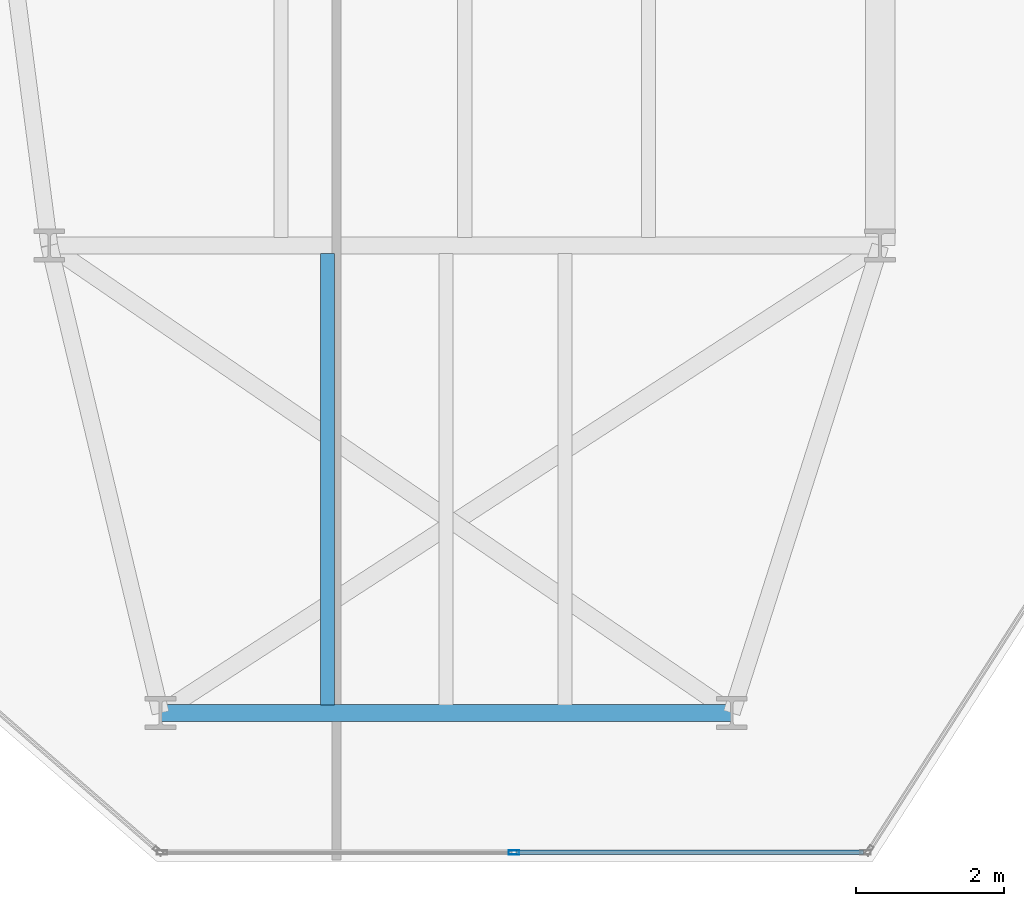
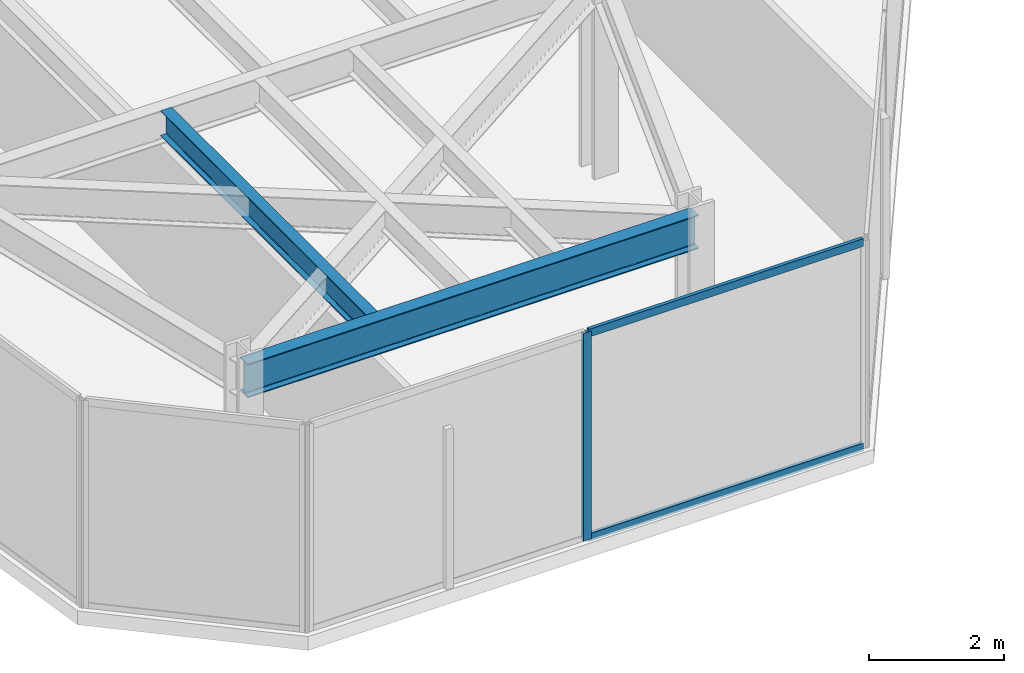
# One storey, part 3 of 26: 3 members, 2 beams, 1 element without a shape of its own.
"""IFC4 building model written with IfcOpenShell, lengths in metres."""

from ifc_helpers import new_model, si_unit, direction, frame, origin, origin_2d, place, context, subcontext, project, spatial, hollow_rectangle, i_section, extrude, material, layer, layer_set, material_profile, profile_set, type_object, element, aggregate, save


model = new_model("IFC4")

# Units and contexts
model_context = context("Model", 3, precision=1e-05, world=origin(), true_north=direction((0.0, 1.0)))
body_context = subcontext(model_context, "Body", "Model", "MODEL_VIEW")
ifc_project = project(units=[si_unit("LENGTHUNIT", "METRE"), si_unit("AREAUNIT", "SQUARE_METRE"), si_unit("VOLUMEUNIT", "CUBIC_METRE"), si_unit("PLANEANGLEUNIT", "RADIAN"), si_unit("MASSUNIT", "GRAM", prefix="KILO")], contexts=[model_context])

# Site, building, storey
site_placement = place(None, origin())
site = spatial("IfcSite", under=ifc_project, at=site_placement, CompositionType="ELEMENT")
building_placement = place(site_placement, origin())
building = spatial("IfcBuilding", under=site, at=building_placement, Name="Kravanh Interchange Tower", CompositionType="ELEMENT")
storey_placement = place(building_placement, frame((0.0, 0.0, 132.0)))
storey = spatial("IfcBuildingStorey", under=building, at=storey_placement, Name="L31", CompositionType="ELEMENT", Elevation=132.0)

# Curtain wall, members
ifc_material_1 = material(Name="Anodised Bronze Aluminium", Category="aluminium")
ifc_layer = layer(ifc_material_1, 0.179931640625)
ifc_layer_set = layer_set([ifc_layer], Name="Unitised Curtain Wall System CW-Z2 Mid Office")
curtain_wall_type = type_object("IfcCurtainWallType", Name="Unitised Curtain Wall System CW-Z2 Mid Office", PredefinedType="NOTDEFINED", material=ifc_layer_set)
curtain_wall_placement = place(storey_placement, origin())
curtain_wall = element("IfcCurtainWall", 1, at=curtain_wall_placement, inside=storey, type_object=curtain_wall_type, Name="L31 Unitised Curtain Wall CW-L31-06", PredefinedType="NOTDEFINED")
ifc_material_2 = material(Name="Anodised Bronze Aluminium", Category="aluminium")
ifc_material_profile_1 = material_profile(ifc_material_2, hollow_rectangle(XDim=0.06005859375, YDim=0.139892578125, WallThickness=0.00390625, at=origin_2d()), Name="ALU60X140X4")
ifc_profile_set_1 = profile_set([ifc_material_profile_1], Name="Anodised Bronze Aluminium")
member_type_1 = type_object("IfcMemberType", Name="Curtain Wall Mullion ALU60X140X4 Bronze", PredefinedType="MULLION", material=ifc_profile_set_1)
member_1_placement = place(storey_placement, frame((22.26220703125, 6.320068359375, 0.0), z_axis=(0.0, 0.0, 1.0), x_axis=(0.0, -1.0, 0.0)))
member_1 = element("IfcMember", 2, at=member_1_placement, type_object=member_type_1, Name="CW-Z2 mullion 2", PredefinedType="MULLION", context=body_context, shape_type="SweptSolid", body=[
    extrude(hollow_rectangle(XDim=0.06005859375, YDim=0.139892578125, WallThickness=0.00390625, at=origin_2d()), origin(), (0.0, 0.0, 1.0), 3.75),
])
ifc_material_3 = material(Name="Anodised Bronze Aluminium", Category="aluminium")
ifc_material_profile_2 = material_profile(ifc_material_3, hollow_rectangle(XDim=0.06005859375, YDim=0.139892578125, WallThickness=0.00390625, at=origin_2d()), Name="ALU60X140X4")
ifc_profile_set_2 = profile_set([ifc_material_profile_2], Name="Anodised Bronze Aluminium")
member_type_2 = type_object("IfcMemberType", Name="Curtain Wall Transom ALU60X140X4 Bronze", PredefinedType="USERDEFINED", material=ifc_profile_set_2)
member_2_placement = place(storey_placement, frame((26.974365234375, 6.320068359375, 0.030029296875), z_axis=(-1.0, 0.0, 0.0), x_axis=(0.0, -1.0, 0.0)))
member_2 = element("IfcMember", 3, at=member_2_placement, type_object=member_type_2, Name="CW-Z2 transom 1.1", ObjectType="TRANSOM", PredefinedType="USERDEFINED", context=body_context, shape_type="SweptSolid", body=[
    extrude(hollow_rectangle(XDim=0.06005859375, YDim=0.139892578125, WallThickness=0.00390625, at=origin_2d()), origin(), (0.0, 0.0, 1.0), 4.682373046875),
])
member_3_placement = place(storey_placement, frame((26.974365234375, 6.320068359375, 3.719970703125), z_axis=(-1.0, 0.0, 0.0), x_axis=(0.0, -1.0, 0.0)))
member_3 = element("IfcMember", 4, at=member_3_placement, type_object=member_type_2, Name="CW-Z2 transom 1.2", ObjectType="TRANSOM", PredefinedType="USERDEFINED", context=body_context, shape_type="SweptSolid", body=[
    extrude(hollow_rectangle(XDim=0.06005859375, YDim=0.139892578125, WallThickness=0.00390625, at=origin_2d()), origin(), (0.0, 0.0, 1.0), 4.682373046875),
])
aggregate(curtain_wall, [member_1, member_2, member_3])

# Beams
ifc_material_4 = material(Name="Structural Steel S355", Category="steel")
ifc_material_profile_3 = material_profile(ifc_material_4, i_section(OverallWidth=0.18994140625, OverallDepth=0.45703125, WebThickness=0.009033203125, FlangeThickness=0.014404296875, FilletRadius=0.01806640625, at=origin_2d()), Name="W18X50")
ifc_profile_set_3 = profile_set([ifc_material_profile_3], Name="Structural Steel S355")
beam_type_1 = type_object("IfcBeamType", Name="Floor Joist W18X50 Structural Steel S355", PredefinedType="JOIST", material=ifc_profile_set_3)
beam_1_placement = place(storey_placement, frame((19.75, 8.30908203125, 3.521484375), z_axis=(0.0, 1.0, 0.0), x_axis=(-1.0, 0.0, 0.0)))
element("IfcBeam", 5, at=beam_1_placement, inside=storey, type_object=beam_type_1, Name="L31 Secondary Floor Joist 1", PredefinedType="JOIST", context=body_context, shape_type="SweptSolid", body=[
    extrude(i_section(OverallWidth=0.18994140625, OverallDepth=0.45703125, WebThickness=0.009033203125, FlangeThickness=0.014404296875, FilletRadius=0.01806640625, at=origin_2d()), origin(), (0.0, 0.0, 1.0), 6.08203125),
])
ifc_material_5 = material(Name="Structural Steel S355", Category="steel")
ifc_material_profile_4 = material_profile(ifc_material_5, i_section(OverallWidth=0.22802734375, OverallDepth=0.60791015625, WebThickness=0.01123046875, FlangeThickness=0.017333984375, FilletRadius=0.02197265625, at=origin_2d()), Name="W24X76")
ifc_profile_set_4 = profile_set([ifc_material_profile_4], Name="Structural Steel S355")
beam_type_2 = type_object("IfcBeamType", Name="Floor Spandrel W24X76 Structural Steel S355", PredefinedType="SPANDREL", material=ifc_profile_set_4)
beam_2_placement = place(storey_placement, frame((17.5, 8.199951171875, 3.446044921875), z_axis=(1.0, 0.0, 0.0), x_axis=(0.0, 1.0, 0.0)))
element("IfcBeam", 6, at=beam_2_placement, inside=storey, type_object=beam_type_2, Name="L31 Perimeter Spandrel 35", PredefinedType="SPANDREL", context=body_context, shape_type="SweptSolid", body=[
    extrude(i_section(OverallWidth=0.22802734375, OverallDepth=0.60791015625, WebThickness=0.01123046875, FlangeThickness=0.017333984375, FilletRadius=0.02197265625, at=origin_2d()), origin(), (0.0, 0.0, 1.0), 7.699951171875),
])

save(model, "model.ifc")
